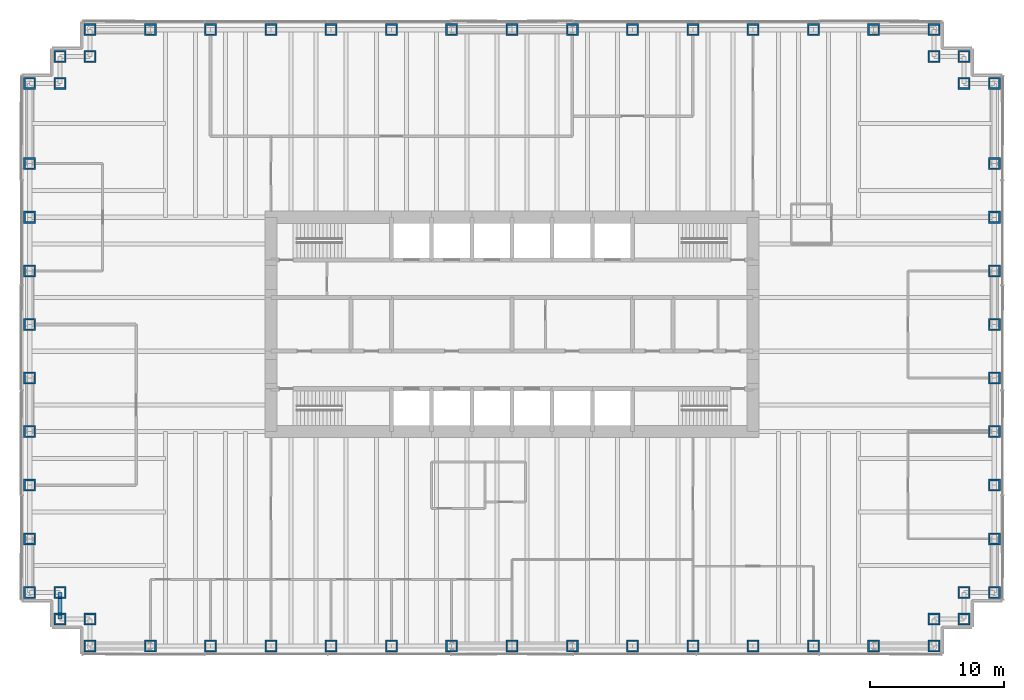
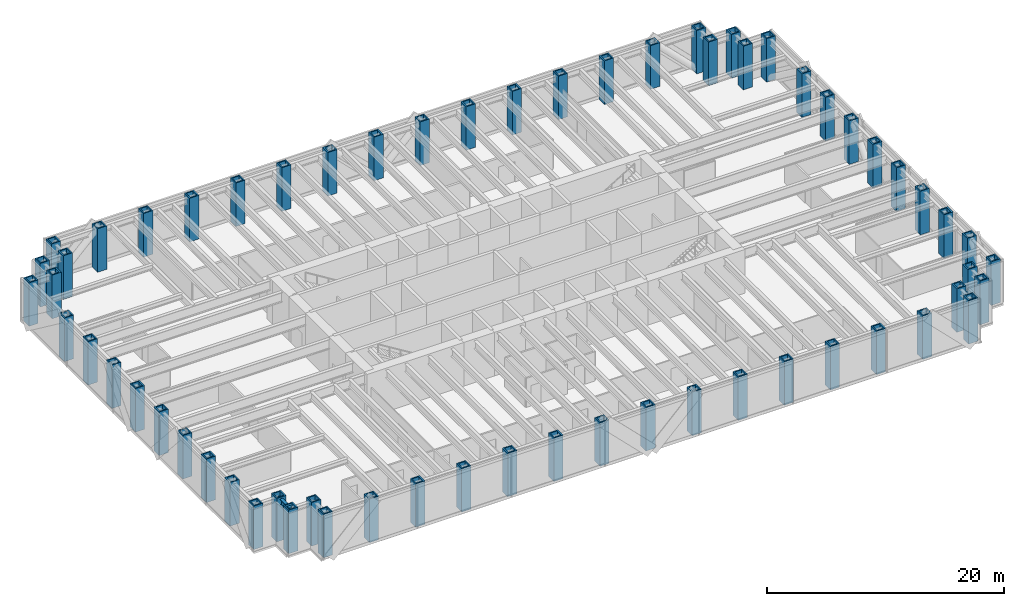
# One storey, part 1 of 13: 62 columns, 1 beam.
"""IFC4 building model written with IfcOpenShell, lengths in metres."""

from ifc_helpers import new_model, si_unit, direction, frame, origin, origin_2d, place, context, subcontext, project, spatial, hollow_rectangle, i_section, extrude, material, material_profile, profile_set, type_object, element, save


model = new_model("IFC4")

# Units and contexts
model_context = context("Model", 3, precision=1e-05, world=origin(), true_north=direction((0.0, 1.0)))
body_context = subcontext(model_context, "Body", "Model", "MODEL_VIEW")
ifc_project = project(units=[si_unit("LENGTHUNIT", "METRE"), si_unit("AREAUNIT", "SQUARE_METRE"), si_unit("VOLUMEUNIT", "CUBIC_METRE"), si_unit("PLANEANGLEUNIT", "RADIAN"), si_unit("MASSUNIT", "GRAM", prefix="KILO")], contexts=[model_context])

# Site, building, storey
site_placement = place(None, origin())
site = spatial("IfcSite", under=ifc_project, at=site_placement, CompositionType="ELEMENT")
building_placement = place(site_placement, origin())
building = spatial("IfcBuilding", under=site, at=building_placement, Name="Rheinbord Bourse Tower", CompositionType="ELEMENT")
storey_placement = place(building_placement, frame((0.0, 0.0, 63.5)))
storey = spatial("IfcBuildingStorey", under=building, at=storey_placement, Name="L13", CompositionType="ELEMENT", Elevation=63.5)

# Columns
ifc_material_1 = material(Name="Steel S460M", Category="steel")
ifc_material_profile_1 = material_profile(ifc_material_1, hollow_rectangle(XDim=0.89990234375, YDim=0.89990234375, WallThickness=0.1201171875, at=origin_2d()), Name="BOX 900x900x120")
ifc_profile_set_1 = profile_set([ifc_material_profile_1], Name="Steel S460M")
column_type = type_object("IfcColumnType", Name="TUBE COLUMN BOX 900x900x120", PredefinedType="COLUMN", material=ifc_profile_set_1)
for number, where, z_axis, x_axis, name in (
    (1, (4.5, 0.0, 0.0), (0.0, 0.0, 1.0), (0.0, 1.0, 0.0), "Column SW-E L13"),
    (2, (9.0, 0.0, 0.0), (0.0, 0.0, 1.0), (0.0, 1.0, 0.0), "Column S-9 L13"),
    (3, (13.5, 0.0, 0.0), (0.0, 0.0, 1.0), (0.0, 1.0, 0.0), "Column S-13.5 L13"),
    (4, (18.0, 0.0, 0.0), (0.0, 0.0, 1.0), (0.0, 1.0, 0.0), "Column S-18 L13"),
    (5, (22.5, 0.0, 0.0), (0.0, 0.0, 1.0), (0.0, 1.0, 0.0), "Column S-22.5 L13"),
    (6, (27.0, 0.0, 0.0), (0.0, 0.0, 1.0), (0.0, 1.0, 0.0), "Column S-27 L13"),
    (7, (31.5, 0.0, 0.0), (0.0, 0.0, 1.0), (0.0, 1.0, 0.0), "Column S-31.5 L13"),
    (8, (36.0, 0.0, 0.0), (0.0, 0.0, 1.0), (0.0, 1.0, 0.0), "Column S-36 L13"),
    (9, (40.5, 0.0, 0.0), (0.0, 0.0, 1.0), (0.0, 1.0, 0.0), "Column S-40.5 L13"),
    (10, (45.0, 0.0, 0.0), (0.0, 0.0, 1.0), (0.0, 1.0, 0.0), "Column S-45 L13"),
    (11, (49.5, 0.0, 0.0), (0.0, 0.0, 1.0), (0.0, 1.0, 0.0), "Column S-49.5 L13"),
    (12, (54.0, 0.0, 0.0), (0.0, 0.0, 1.0), (0.0, 1.0, 0.0), "Column S-54 L13"),
    (13, (58.5, 0.0, 0.0), (0.0, 0.0, 1.0), (0.0, 1.0, 0.0), "Column S-58.5 L13"),
    (14, (63.0, 0.0, 0.0), (0.0, 0.0, 1.0), (0.0, 1.0, 0.0), "Column S-63 L13"),
    (15, (67.5, 0.0, 0.0), (0.0, 0.0, 1.0), (0.0, 1.0, 0.0), "Column SE-E L13"),
    (16, (67.5, 2.0, 0.0), (0.0, 0.0, 1.0), (0.0, 1.0, 0.0), "Column SE-D L13"),
    (17, (69.75, 2.0, 0.0), (0.0, 0.0, 1.0), (1.0, 0.0, 0.0), "Column SE-C L13"),
    (18, (69.75, 4.0, 0.0), (0.0, 0.0, 1.0), (1.0, 0.0, 0.0), "Column SE-B L13"),
    (19, (72.0, 4.0, 0.0), (0.0, 0.0, 1.0), (1.0, 0.0, 0.0), "Column SE-A L13"),
    (20, (72.0, 8.0, 0.0), (0.0, 0.0, 1.0), (1.0, 0.0, 0.0), "Column E-8 L13"),
    (21, (72.0, 12.0, 0.0), (0.0, 0.0, 1.0), (1.0, 0.0, 0.0), "Column E-12 L13"),
    (22, (72.0, 16.0, 0.0), (0.0, 0.0, 1.0), (1.0, 0.0, 0.0), "Column E-16 L13"),
    (23, (72.0, 20.0, 0.0), (0.0, 0.0, 1.0), (1.0, 0.0, 0.0), "Column E-20 L13"),
    (24, (72.0, 24.0, 0.0), (0.0, 0.0, 1.0), (1.0, 0.0, 0.0), "Column E-24 L13"),
    (25, (72.0, 28.0, 0.0), (0.0, 0.0, 1.0), (1.0, 0.0, 0.0), "Column E-28 L13"),
    (26, (72.0, 32.0, 0.0), (0.0, 0.0, 1.0), (1.0, 0.0, 0.0), "Column E-32 L13"),
    (27, (72.0, 36.0, 0.0), (0.0, 0.0, 1.0), (1.0, 0.0, 0.0), "Column E-36 L13"),
    (28, (72.0, 42.0, 0.0), (0.0, 0.0, 1.0), (1.0, 0.0, 0.0), "Column NE-A L13"),
    (29, (69.75, 42.0, 0.0), (0.0, 0.0, 1.0), (1.0, 0.0, 0.0), "Column NE-B L13"),
    (30, (69.75, 44.0, 0.0), (0.0, 0.0, 1.0), (1.0, 0.0, 0.0), "Column NE-C L13"),
    (31, (67.5, 44.0, 0.0), (0.0, 0.0, 1.0), (0.0, 1.0, 0.0), "Column NE-D L13"),
    (32, (67.5, 46.0, 0.0), (0.0, 0.0, 1.0), (0.0, 1.0, 0.0), "Column NE-E L13"),
    (33, (63.0, 46.0, 0.0), (0.0, 0.0, 1.0), (0.0, 1.0, 0.0), "Column N-63 L13"),
    (34, (58.5, 46.0, 0.0), (0.0, 0.0, 1.0), (0.0, 1.0, 0.0), "Column N-58.5 L13"),
    (35, (54.0, 46.0, 0.0), (0.0, 0.0, 1.0), (0.0, 1.0, 0.0), "Column N-54 L13"),
    (36, (49.5, 46.0, 0.0), (0.0, 0.0, 1.0), (0.0, 1.0, 0.0), "Column N-49.5 L13"),
    (37, (45.0, 46.0, 0.0), (0.0, 0.0, 1.0), (0.0, 1.0, 0.0), "Column N-45 L13"),
    (38, (40.5, 46.0, 0.0), (0.0, 0.0, 1.0), (0.0, 1.0, 0.0), "Column N-40.5 L13"),
    (39, (36.0, 46.0, 0.0), (0.0, 0.0, 1.0), (0.0, 1.0, 0.0), "Column N-36 L13"),
    (40, (31.5, 46.0, 0.0), (0.0, 0.0, 1.0), (0.0, 1.0, 0.0), "Column N-31.5 L13"),
    (41, (27.0, 46.0, 0.0), (0.0, 0.0, 1.0), (0.0, 1.0, 0.0), "Column N-27 L13"),
    (42, (22.5, 46.0, 0.0), (0.0, 0.0, 1.0), (0.0, 1.0, 0.0), "Column N-22.5 L13"),
    (43, (18.0, 46.0, 0.0), (0.0, 0.0, 1.0), (0.0, 1.0, 0.0), "Column N-18 L13"),
    (44, (13.5, 46.0, 0.0), (0.0, 0.0, 1.0), (0.0, 1.0, 0.0), "Column N-13.5 L13"),
    (45, (9.0, 46.0, 0.0), (0.0, 0.0, 1.0), (0.0, 1.0, 0.0), "Column N-9 L13"),
    (46, (4.5, 46.0, 0.0), (0.0, 0.0, 1.0), (0.0, 1.0, 0.0), "Column NW-E L13"),
    (47, (4.5, 44.0, 0.0), (0.0, 0.0, 1.0), (0.0, 1.0, 0.0), "Column NW-D L13"),
    (48, (2.25, 44.0, 0.0), (0.0, 0.0, 1.0), (1.0, 0.0, 0.0), "Column NW-C L13"),
    (49, (2.25, 42.0, 0.0), (0.0, 0.0, 1.0), (1.0, 0.0, 0.0), "Column NW-B L13"),
    (50, (0.0, 42.0, 0.0), (0.0, 0.0, 1.0), (1.0, 0.0, 0.0), "Column NW-A L13"),
    (51, (0.0, 36.0, 0.0), (0.0, 0.0, 1.0), (1.0, 0.0, 0.0), "Column W-36 L13"),
    (52, (0.0, 32.0, 0.0), (0.0, 0.0, 1.0), (1.0, 0.0, 0.0), "Column W-32 L13"),
    (53, (0.0, 28.0, 0.0), (0.0, 0.0, 1.0), (1.0, 0.0, 0.0), "Column W-28 L13"),
    (54, (0.0, 24.0, 0.0), (0.0, 0.0, 1.0), (1.0, 0.0, 0.0), "Column W-24 L13"),
    (55, (0.0, 20.0, 0.0), (0.0, 0.0, 1.0), (1.0, 0.0, 0.0), "Column W-20 L13"),
    (56, (0.0, 16.0, 0.0), (0.0, 0.0, 1.0), (1.0, 0.0, 0.0), "Column W-16 L13"),
    (57, (0.0, 12.0, 0.0), (0.0, 0.0, 1.0), (1.0, 0.0, 0.0), "Column W-12 L13"),
    (58, (0.0, 8.0, 0.0), (0.0, 0.0, 1.0), (1.0, 0.0, 0.0), "Column W-8 L13"),
    (59, (0.0, 4.0, 0.0), (0.0, 0.0, 1.0), (1.0, 0.0, 0.0), "Column SW-A L13"),
    (60, (2.25, 4.0, 0.0), (0.0, 0.0, 1.0), (1.0, 0.0, 0.0), "Column SW-B L13"),
    (61, (2.25, 2.0, 0.0), (0.0, 0.0, 1.0), (1.0, 0.0, 0.0), "Column SW-C L13"),
    (62, (4.5, 2.0, 0.0), (0.0, 0.0, 1.0), (0.0, 1.0, 0.0), "Column SW-D L13"),
):
    element("IfcColumn", number, at=place(storey_placement, frame(where, z_axis=z_axis, x_axis=x_axis)), inside=storey, type_object=column_type, Name=name, PredefinedType="COLUMN", context=body_context, shape_type="SweptSolid", body=[
        extrude(hollow_rectangle(XDim=0.89990234375, YDim=0.89990234375, WallThickness=0.1201171875, at=origin_2d()), origin(), (0.0, 0.0, 1.0), 4.5),
    ])

# Beam
ifc_material_2 = material(Name="Steel S460", Category="steel")
ifc_material_profile_2 = material_profile(ifc_material_2, i_section(OverallWidth=0.304931640625, OverallDepth=0.6201171875, WebThickness=0.02099609375, FlangeThickness=0.0400390625, at=origin_2d()), Name="HEM 600")
ifc_profile_set_2 = profile_set([ifc_material_profile_2], Name="Steel S460")
beam_type = type_object("IfcBeamType", Name="SPANDREL HEM 600", PredefinedType="SPANDREL", material=ifc_profile_set_2)
beam_placement = place(storey_placement, frame((2.25, 4.0, 4.010009765625), z_axis=(0.0, -1.0, 0.0), x_axis=(1.0, 0.0, 0.0)))
element("IfcBeam", 63, at=beam_placement, inside=storey, type_object=beam_type, Name="Spandrel SW-B-SW-C under L14", PredefinedType="SPANDREL", context=body_context, shape_type="SweptSolid", body=[
    extrude(i_section(OverallWidth=0.304931640625, OverallDepth=0.6201171875, WebThickness=0.02099609375, FlangeThickness=0.0400390625, at=origin_2d()), origin(), (0.0, 0.0, 1.0), 2.0),
])

save(model, "model.ifc")
